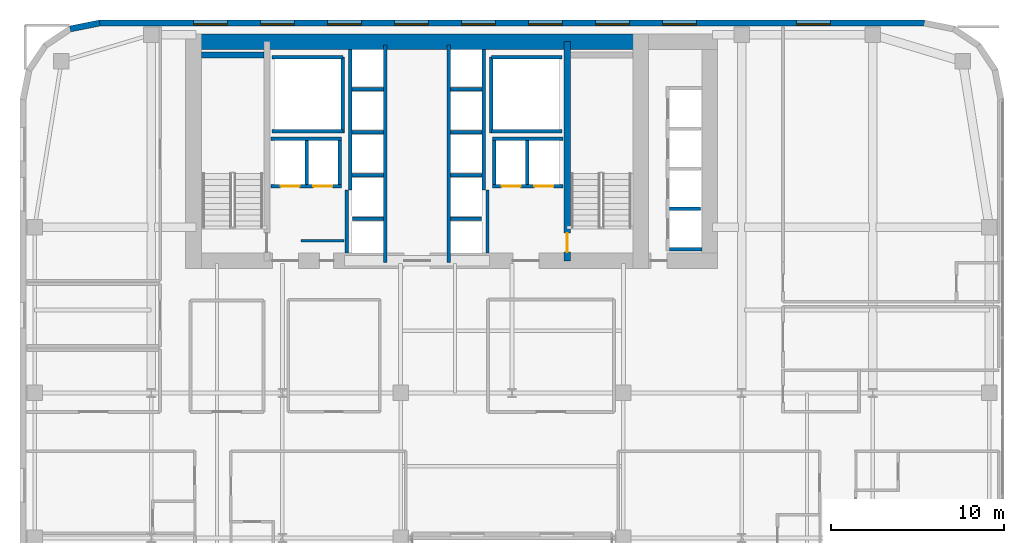
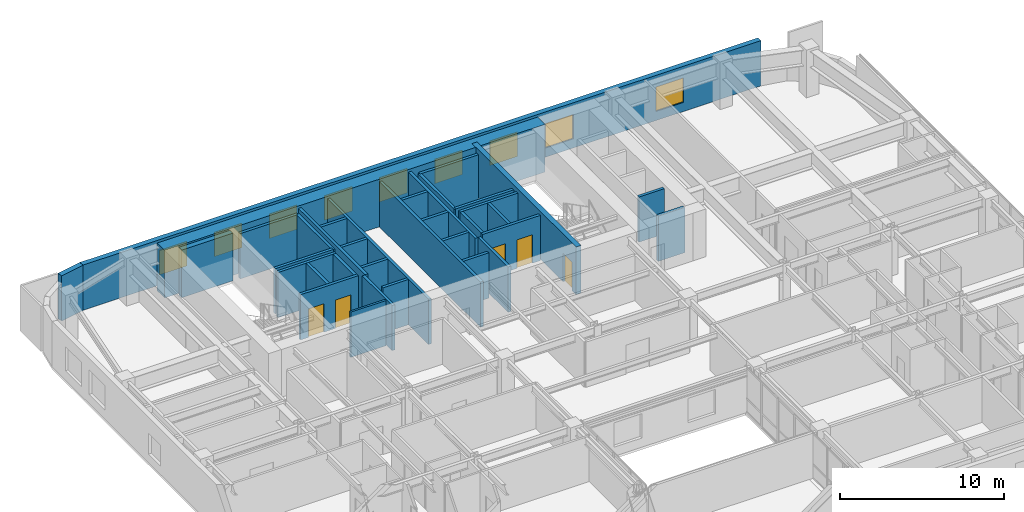
# One storey, part 22 of 25: 36 walls, 9 windows, 5 doors, 14 openings.
"""IFC4 building model written with IfcOpenShell, lengths in metres."""

from ifc_helpers import new_model, si_unit, direction, frame, frame_2d, origin, place, context, subcontext, project, spatial, rectangle, extrude, source, transform, mapped, material, layer, layer_set, type_object, type_shapes, element, fill, save


model = new_model("IFC4")

# Units and contexts
model_context = context("Model", 3, precision=1e-05, world=origin(), true_north=direction((0.0, 1.0)))
body_context = subcontext(model_context, "Body", "Model", "MODEL_VIEW")
ifc_project = project(units=[si_unit("LENGTHUNIT", "METRE"), si_unit("AREAUNIT", "SQUARE_METRE"), si_unit("VOLUMEUNIT", "CUBIC_METRE"), si_unit("PLANEANGLEUNIT", "RADIAN"), si_unit("MASSUNIT", "GRAM", prefix="KILO")], contexts=[model_context])

# Site, building, storey
site_placement = place(None, origin())
site = spatial("IfcSite", under=ifc_project, at=site_placement, CompositionType="ELEMENT")
building_placement = place(site_placement, origin())
building = spatial("IfcBuilding", under=site, at=building_placement, Name="Tolvann Quenvar Hotel", CompositionType="ELEMENT")
storey_placement = place(building_placement, frame((0.0, 0.0, 78.14990234375)))
storey = spatial("IfcBuildingStorey", under=building, at=storey_placement, Name="L19", CompositionType="ELEMENT", Elevation=78.14990234375)

# Wall
ifc_material_1 = material(Name="Concrete S80 (80 MPa)", Category="concrete")
ifc_layer_1 = layer(ifc_material_1, 0.89990234375)
ifc_layer_set_1 = layer_set([ifc_layer_1], Name="Concrete S80 (80 MPa)")
wall_type_1 = type_object("IfcWallType", Name="WALL_CORE_900", PredefinedType="SHEAR", material=ifc_layer_set_1)
wall_1_placement = place(storey_placement, frame((9.60009765625, 44.75, 0.0), z_axis=(0.0, 0.0, 1.0), x_axis=(1.0, 0.0, 0.0)))
element("IfcWall", 1, at=wall_1_placement, inside=storey, type_object=wall_type_1, Name="Rear Core N Shear Wall (L19)", PredefinedType="SHEAR", context=body_context, shape_type="SweptSolid", body=[
    extrude(rectangle(XDim=26.7998046875, YDim=0.89990234375, at=frame_2d((13.39990234375, 0.0))), origin(), (0.0, 0.0, 1.0), 3.550048828125),
])

# Wall, opening, door
ifc_material_2 = material(Name="Concrete S65 (65 MPa)", Category="concrete")
ifc_layer_2 = layer(ifc_material_2, 0.35009765625)
ifc_layer_set_2 = layer_set([ifc_layer_2], Name="Concrete S65 (65 MPa)")
wall_type_2 = type_object("IfcWallType", Name="WALL_CORE_INT_350", PredefinedType="SHEAR", material=ifc_layer_set_2)
wall_2_placement = place(storey_placement, frame((31.699951171875, 32.050048828125, 0.0), z_axis=(0.0, 0.0, 1.0), x_axis=(0.0, 1.0, 0.0)))
wall_2 = element("IfcWall", 2, at=wall_2_placement, inside=storey, type_object=wall_type_2, Name="Core Internal Web Shear Wall WEB-E (L19)", PredefinedType="SHEAR", context=body_context, shape_type="SweptSolid", body=[
    extrude(rectangle(XDim=12.699951171875, YDim=0.35009765625, at=frame_2d((6.35009765625, 0.0))), origin(), (0.0, 0.0, 1.0), 3.550048828125),
])
opening_1_placement = place(wall_2_placement, frame((1.60009765625, 0.0, 0.0), z_axis=(0.0, 0.0, 1.0), x_axis=(-1.0, 0.0, 0.0)))
opening_1 = element("IfcOpeningElement", 3, at=opening_1_placement, cuts=wall_2, Name="Opening FD-120", PredefinedType="OPENING", context=body_context, shape_type="SweptSolid", body=[
    extrude(rectangle(XDim=1.10009765625, YDim=2.1201171875, at=frame_2d((0.550048828125, 1.06005859375))), frame((0.0, 0.18505859375, 0.0), z_axis=(0.0, -1.0, 0.0), x_axis=(1.0, 0.0, 0.0)), (0.0, 0.0, 1.0), 0.3701171875),
])
ifc_material_3 = material(Name="Pressed galvanised steel fire-rated door set", Category="steel")
door_type_1 = type_object("IfcDoorType", Name="DOOR_FIRE_STAIR_1100", OperationType="NOTDEFINED", PredefinedType="DOOR", material=ifc_material_3)
shared_shape_1 = source(origin(), body_context, "Body", "SweptSolid", [
    extrude(rectangle(XDim=1.10009765625, YDim=2.1201171875, at=frame_2d((0.550048828125, 1.06005859375))), frame((0.0, 0.02490234375, 0.0), z_axis=(0.0, -1.0, 0.0), x_axis=(1.0, 0.0, 0.0)), (0.0, 0.0, 1.0), 0.050048828125),
])
type_shapes(door_type_1, [shared_shape_1])
door_1_placement = place(opening_1_placement, origin())
door_1 = element("IfcDoor", 4, at=door_1_placement, inside=storey, type_object=door_type_1, Name="Exit Stair ST-C2 Fire Door (L19)", OperationType="SINGLE_SWING_RIGHT", OverallHeight=2.1201171875, OverallWidth=1.10009765625, PredefinedType="DOOR", context=body_context, shape_type="MappedRepresentation", body=[
    mapped(shared_shape_1, transform((0.0, 0.0, 0.0), x_axis=(1.0, 0.0, 0.0), y_axis=(0.0, 1.0, 0.0), z_axis=(0.0, 0.0, 1.0), scale=1.0)),
])
fill(opening_1, door_1)

# Wall
wall_3_placement = place(storey_placement, frame((10.52001953125, 43.97509765625, 0.0), z_axis=(0.0, 0.0, 1.0), x_axis=(1.0, 0.0, 0.0)))
element("IfcWall", 5, at=wall_3_placement, inside=storey, type_object=wall_type_2, Name="Core Stair North Closing Shear Wall STC1-N (L19)", PredefinedType="SHEAR", context=body_context, shape_type="SweptSolid", body=[
    extrude(rectangle(XDim=3.60009765625, YDim=0.35009765625, at=frame_2d((1.800048828125, 0.0))), origin(), (0.0, 0.0, 1.0), 3.550048828125),
])

# Wall, openings, windows
ifc_material_4 = material(Name="Kiln-fired red and buff architectural clay brickwork and terracotta masonry", Category="masonry")
ifc_layer_3 = layer(ifc_material_4, 0.35009765625)
ifc_layer_set_3 = layer_set([ifc_layer_3], Name="Kiln-fired red and buff architectural clay brickwork and terracotta masonry")
wall_type_3 = type_object("IfcWallType", Name="WALL_EXT_BRICK_350", PredefinedType="SOLIDWALL", material=ifc_layer_set_3)
wall_4_placement = place(storey_placement, frame((52.3828125, 45.824951171875, 0.0), z_axis=(0.0, 0.0, 1.0), x_axis=(-1.0, 0.0, 0.0)))
wall_4 = element("IfcWall", 6, at=wall_4_placement, inside=storey, type_object=wall_type_3, Name="Exterior Chicago Brick Wall L19-E18", PredefinedType="SOLIDWALL", context=body_context, shape_type="SweptSolid", body=[
    extrude(rectangle(XDim=47.765625, YDim=0.35009765625, at=frame_2d((23.8828125, 0.0))), origin(), (0.0, 0.0, 1.0), 3.3701171875),
])
opening_2_placement = place(wall_4_placement, frame((5.446044921875, 0.0, 0.679931640625)))
opening_2 = element("IfcOpeningElement", 7, at=opening_2_placement, cuts=wall_4, Name="Opening W-10", PredefinedType="OPENING", context=body_context, shape_type="SweptSolid", body=[
    extrude(rectangle(XDim=1.949951171875, YDim=1.820068359375, at=frame_2d((0.97509765625, 0.91015625))), frame((0.0, 0.18505859375, 0.0), z_axis=(0.0, -1.0, 0.0), x_axis=(1.0, 0.0, 0.0)), (0.0, 0.0, 1.0), 0.3701171875),
])
opening_3_placement = place(wall_4_placement, frame((13.20703125, 0.0, 0.679931640625)))
opening_3 = element("IfcOpeningElement", 8, at=opening_3_placement, cuts=wall_4, Name="Opening W-10", PredefinedType="OPENING", context=body_context, shape_type="SweptSolid", body=[
    extrude(rectangle(XDim=1.949951171875, YDim=1.820068359375, at=frame_2d((0.97509765625, 0.91015625))), frame((0.0, 0.18505859375, 0.0), z_axis=(0.0, -1.0, 0.0), x_axis=(1.0, 0.0, 0.0)), (0.0, 0.0, 1.0), 0.3701171875),
])
opening_4_placement = place(wall_4_placement, frame((17.0869140625, 0.0, 0.679931640625)))
opening_4 = element("IfcOpeningElement", 9, at=opening_4_placement, cuts=wall_4, Name="Opening W-10", PredefinedType="OPENING", context=body_context, shape_type="SweptSolid", body=[
    extrude(rectangle(XDim=1.949951171875, YDim=1.820068359375, at=frame_2d((0.97509765625, 0.91015625))), frame((0.0, 0.18505859375, 0.0), z_axis=(0.0, -1.0, 0.0), x_axis=(1.0, 0.0, 0.0)), (0.0, 0.0, 1.0), 0.3701171875),
])
opening_5_placement = place(wall_4_placement, frame((20.968017578125, 0.0, 0.679931640625)))
opening_5 = element("IfcOpeningElement", 10, at=opening_5_placement, cuts=wall_4, Name="Opening W-10", PredefinedType="OPENING", context=body_context, shape_type="SweptSolid", body=[
    extrude(rectangle(XDim=1.949951171875, YDim=1.820068359375, at=frame_2d((0.97509765625, 0.91015625))), frame((0.0, 0.18505859375, 0.0), z_axis=(0.0, -1.0, 0.0), x_axis=(1.0, 0.0, 0.0)), (0.0, 0.0, 1.0), 0.3701171875),
])
opening_6_placement = place(wall_4_placement, frame((24.847900390625, 0.0, 0.679931640625)))
opening_6 = element("IfcOpeningElement", 11, at=opening_6_placement, cuts=wall_4, Name="Opening W-10", PredefinedType="OPENING", context=body_context, shape_type="SweptSolid", body=[
    extrude(rectangle(XDim=1.949951171875, YDim=1.820068359375, at=frame_2d((0.97509765625, 0.91015625))), frame((0.0, 0.18505859375, 0.0), z_axis=(0.0, -1.0, 0.0), x_axis=(1.0, 0.0, 0.0)), (0.0, 0.0, 1.0), 0.3701171875),
])
opening_7_placement = place(wall_4_placement, frame((28.72900390625, 0.0, 0.679931640625)))
opening_7 = element("IfcOpeningElement", 12, at=opening_7_placement, cuts=wall_4, Name="Opening W-10", PredefinedType="OPENING", context=body_context, shape_type="SweptSolid", body=[
    extrude(rectangle(XDim=1.949951171875, YDim=1.820068359375, at=frame_2d((0.97509765625, 0.91015625))), frame((0.0, 0.18505859375, 0.0), z_axis=(0.0, -1.0, 0.0), x_axis=(1.0, 0.0, 0.0)), (0.0, 0.0, 1.0), 0.3701171875),
])
opening_8_placement = place(wall_4_placement, frame((32.60888671875, 0.0, 0.679931640625)))
opening_8 = element("IfcOpeningElement", 13, at=opening_8_placement, cuts=wall_4, Name="Opening W-10", PredefinedType="OPENING", context=body_context, shape_type="SweptSolid", body=[
    extrude(rectangle(XDim=1.949951171875, YDim=1.820068359375, at=frame_2d((0.97509765625, 0.91015625))), frame((0.0, 0.18505859375, 0.0), z_axis=(0.0, -1.0, 0.0), x_axis=(1.0, 0.0, 0.0)), (0.0, 0.0, 1.0), 0.3701171875),
])
opening_9_placement = place(wall_4_placement, frame((36.489013671875, 0.0, 0.679931640625)))
opening_9 = element("IfcOpeningElement", 14, at=opening_9_placement, cuts=wall_4, Name="Opening W-10", PredefinedType="OPENING", context=body_context, shape_type="SweptSolid", body=[
    extrude(rectangle(XDim=1.949951171875, YDim=1.820068359375, at=frame_2d((0.97509765625, 0.91015625))), frame((0.0, 0.18505859375, 0.0), z_axis=(0.0, -1.0, 0.0), x_axis=(1.0, 0.0, 0.0)), (0.0, 0.0, 1.0), 0.3701171875),
])
opening_10_placement = place(wall_4_placement, frame((40.3701171875, 0.0, 0.679931640625)))
opening_10 = element("IfcOpeningElement", 15, at=opening_10_placement, cuts=wall_4, Name="Opening W-10", PredefinedType="OPENING", context=body_context, shape_type="SweptSolid", body=[
    extrude(rectangle(XDim=1.949951171875, YDim=1.820068359375, at=frame_2d((0.97509765625, 0.91015625))), frame((0.0, 0.18505859375, 0.0), z_axis=(0.0, -1.0, 0.0), x_axis=(1.0, 0.0, 0.0)), (0.0, 0.0, 1.0), 0.3701171875),
])
ifc_material_5 = material(Name="Thermally broken bronze-anodised aluminium frame with double low-E glazing", Category="aluminium")
window_type = type_object("IfcWindowType", Name="WIN_CLB_1950x1850", PartitioningType="DOUBLE_PANEL_VERTICAL", PredefinedType="WINDOW", material=ifc_material_5)
shared_shape_2 = source(origin(), body_context, "Body", "SweptSolid", [
    extrude(rectangle(XDim=1.949951171875, YDim=1.820068359375, at=frame_2d((0.97509765625, 0.91015625))), frame((0.0, 0.090087890625, 0.0), z_axis=(0.0, -1.0, 0.0), x_axis=(1.0, 0.0, 0.0)), (0.0, 0.0, 1.0), 0.06005859375),
])
type_shapes(window_type, [shared_shape_2])
window_1_placement = place(opening_2_placement, origin())
window_1 = element("IfcWindow", 16, at=window_1_placement, inside=storey, type_object=window_type, Name="Chicago Window W-10 (EW-L19-E18-W01)", OverallHeight=1.820068359375, OverallWidth=1.949951171875, PartitioningType="DOUBLE_PANEL_VERTICAL", PredefinedType="WINDOW", context=body_context, shape_type="MappedRepresentation", body=[
    mapped(shared_shape_2, transform((0.0, 0.0, 0.0), x_axis=(1.0, 0.0, 0.0), y_axis=(0.0, 1.0, 0.0), z_axis=(0.0, 0.0, 1.0), scale=1.0)),
])
fill(opening_2, window_1)
window_2_placement = place(opening_3_placement, origin())
window_2 = element("IfcWindow", 17, at=window_2_placement, inside=storey, type_object=window_type, Name="Chicago Window W-10 (EW-L19-E18-W02)", OverallHeight=1.820068359375, OverallWidth=1.949951171875, PartitioningType="DOUBLE_PANEL_VERTICAL", PredefinedType="WINDOW", context=body_context, shape_type="MappedRepresentation", body=[
    mapped(shared_shape_2, transform((0.0, 0.0, 0.0), x_axis=(1.0, 0.0, 0.0), y_axis=(0.0, 1.0, 0.0), z_axis=(0.0, 0.0, 1.0), scale=1.0)),
])
fill(opening_3, window_2)
window_3_placement = place(opening_4_placement, origin())
window_3 = element("IfcWindow", 18, at=window_3_placement, inside=storey, type_object=window_type, Name="Chicago Window W-10 (EW-L19-E18-W03)", OverallHeight=1.820068359375, OverallWidth=1.949951171875, PartitioningType="DOUBLE_PANEL_VERTICAL", PredefinedType="WINDOW", context=body_context, shape_type="MappedRepresentation", body=[
    mapped(shared_shape_2, transform((0.0, 0.0, 0.0), x_axis=(1.0, 0.0, 0.0), y_axis=(0.0, 1.0, 0.0), z_axis=(0.0, 0.0, 1.0), scale=1.0)),
])
fill(opening_4, window_3)
window_4_placement = place(opening_5_placement, origin())
window_4 = element("IfcWindow", 19, at=window_4_placement, inside=storey, type_object=window_type, Name="Chicago Window W-10 (EW-L19-E18-W04)", OverallHeight=1.820068359375, OverallWidth=1.949951171875, PartitioningType="DOUBLE_PANEL_VERTICAL", PredefinedType="WINDOW", context=body_context, shape_type="MappedRepresentation", body=[
    mapped(shared_shape_2, transform((0.0, 0.0, 0.0), x_axis=(1.0, 0.0, 0.0), y_axis=(0.0, 1.0, 0.0), z_axis=(0.0, 0.0, 1.0), scale=1.0)),
])
fill(opening_5, window_4)
window_5_placement = place(opening_6_placement, origin())
window_5 = element("IfcWindow", 20, at=window_5_placement, inside=storey, type_object=window_type, Name="Chicago Window W-10 (EW-L19-E18-W05)", OverallHeight=1.820068359375, OverallWidth=1.949951171875, PartitioningType="DOUBLE_PANEL_VERTICAL", PredefinedType="WINDOW", context=body_context, shape_type="MappedRepresentation", body=[
    mapped(shared_shape_2, transform((0.0, 0.0, 0.0), x_axis=(1.0, 0.0, 0.0), y_axis=(0.0, 1.0, 0.0), z_axis=(0.0, 0.0, 1.0), scale=1.0)),
])
fill(opening_6, window_5)
window_6_placement = place(opening_7_placement, origin())
window_6 = element("IfcWindow", 21, at=window_6_placement, inside=storey, type_object=window_type, Name="Chicago Window W-10 (EW-L19-E18-W06)", OverallHeight=1.820068359375, OverallWidth=1.949951171875, PartitioningType="DOUBLE_PANEL_VERTICAL", PredefinedType="WINDOW", context=body_context, shape_type="MappedRepresentation", body=[
    mapped(shared_shape_2, transform((0.0, 0.0, 0.0), x_axis=(1.0, 0.0, 0.0), y_axis=(0.0, 1.0, 0.0), z_axis=(0.0, 0.0, 1.0), scale=1.0)),
])
fill(opening_7, window_6)
window_7_placement = place(opening_8_placement, origin())
window_7 = element("IfcWindow", 22, at=window_7_placement, inside=storey, type_object=window_type, Name="Chicago Window W-10 (EW-L19-E18-W07)", OverallHeight=1.820068359375, OverallWidth=1.949951171875, PartitioningType="DOUBLE_PANEL_VERTICAL", PredefinedType="WINDOW", context=body_context, shape_type="MappedRepresentation", body=[
    mapped(shared_shape_2, transform((0.0, 0.0, 0.0), x_axis=(1.0, 0.0, 0.0), y_axis=(0.0, 1.0, 0.0), z_axis=(0.0, 0.0, 1.0), scale=1.0)),
])
fill(opening_8, window_7)
window_8_placement = place(opening_9_placement, origin())
window_8 = element("IfcWindow", 23, at=window_8_placement, inside=storey, type_object=window_type, Name="Chicago Window W-10 (EW-L19-E18-W08)", OverallHeight=1.820068359375, OverallWidth=1.949951171875, PartitioningType="DOUBLE_PANEL_VERTICAL", PredefinedType="WINDOW", context=body_context, shape_type="MappedRepresentation", body=[
    mapped(shared_shape_2, transform((0.0, 0.0, 0.0), x_axis=(1.0, 0.0, 0.0), y_axis=(0.0, 1.0, 0.0), z_axis=(0.0, 0.0, 1.0), scale=1.0)),
])
fill(opening_9, window_8)
window_9_placement = place(opening_10_placement, origin())
window_9 = element("IfcWindow", 24, at=window_9_placement, inside=storey, type_object=window_type, Name="Chicago Window W-10 (EW-L19-E18-W09)", OverallHeight=1.820068359375, OverallWidth=1.949951171875, PartitioningType="DOUBLE_PANEL_VERTICAL", PredefinedType="WINDOW", context=body_context, shape_type="MappedRepresentation", body=[
    mapped(shared_shape_2, transform((0.0, 0.0, 0.0), x_axis=(1.0, 0.0, 0.0), y_axis=(0.0, 1.0, 0.0), z_axis=(0.0, 0.0, 1.0), scale=1.0)),
])
fill(opening_10, window_9)

# Walls
wall_5_placement = place(storey_placement, frame((4.6171875, 45.824951171875, 0.0), z_axis=(0.0, 0.0, 1.0), x_axis=(-0.980800971659, -0.195011420161, 0.0)))
element("IfcWall", 25, at=wall_5_placement, inside=storey, type_object=wall_type_3, Name="Exterior Chicago Brick Wall L19-E19", PredefinedType="SOLIDWALL", context=body_context, shape_type="SweptSolid", body=[
    extrude(rectangle(XDim=1.74267578125, YDim=0.35009765625, at=frame_2d((0.871337890625, 0.0))), origin(), (0.0, 0.0, 1.0), 3.3701171875),
])
ifc_material_6 = material(Name="Acoustic twin-stud fire-rated gypsum plasterboard partition")
ifc_layer_4 = layer(ifc_material_6, 0.14990234375)
ifc_layer_set_4 = layer_set([ifc_layer_4], Name="Acoustic twin-stud fire-rated gypsum plasterboard partition")
wall_type_4 = type_object("IfcWallType", Name="WALL_PART_SUITE_150", PredefinedType="PARTITIONING", material=ifc_layer_set_4)
wall_6_placement = place(storey_placement, frame((16.280029296875, 33.219970703125, 0.0), z_axis=(0.0, 0.0, 1.0), x_axis=(1.0, 0.0, 0.0)))
element("IfcWall", 26, at=wall_6_placement, inside=storey, type_object=wall_type_4, Name="Interior Partition PT-SPC-L19-CSW-1-N", PredefinedType="PARTITIONING", context=body_context, shape_type="SweptSolid", body=[
    extrude(rectangle(XDim=2.48486328125, YDim=0.14990234375, at=frame_2d((1.242431640625, 0.0))), origin(), (0.0, 0.0, 1.0), 3.3701171875),
])
ifc_material_7 = material(Name="Concrete N40 (40 MPa)", Category="concrete")
ifc_layer_5 = layer(ifc_material_7, 0.199951171875)
ifc_layer_set_5 = layer_set([ifc_layer_5], Name="Concrete N40 (40 MPa)")
wall_type_5 = type_object("IfcWallType", Name="WALL_SHAFT_200", PredefinedType="SOLIDWALL", material=ifc_layer_set_5)
wall_7_placement = place(storey_placement, frame((18.699951171875, 39.449951171875, 0.0), z_axis=(0.0, 0.0, 1.0), x_axis=(0.0, 1.0, 0.0)))
element("IfcWall", 27, at=wall_7_placement, inside=storey, type_object=wall_type_5, Name="Service Riser W Shaft Wall IN (L19)", PredefinedType="SOLIDWALL", context=body_context, shape_type="SweptSolid", body=[
    extrude(rectangle(XDim=4.400146484375, YDim=0.199951171875, at=frame_2d((2.2001953125, 0.0))), origin(), (0.0, 0.0, 1.0), 3.3701171875),
])
for number, where, z_axis, x_axis, name in (
    (28, (14.60009765625, 39.550048828125, 0.0), (0.0, 0.0, 1.0), (1.0, 0.0, 0.0), "Service Riser W Shaft Wall S (L19)"),
    (29, (14.60009765625, 43.85009765625, 0.0), (0.0, 0.0, 1.0), (1.0, 0.0, 0.0), "Service Riser W Shaft Wall N (L19)"),
):
    element("IfcWall", number, at=place(storey_placement, frame(where, z_axis=z_axis, x_axis=x_axis)), inside=storey, type_object=wall_type_5, Name=name, PredefinedType="SOLIDWALL", context=body_context, shape_type="SweptSolid", body=[
        extrude(rectangle(XDim=4.099853515625, YDim=0.199951171875, at=frame_2d((2.0498046875, 0.0))), origin(), (0.0, 0.0, 1.0), 3.3701171875),
    ])
wall_8_placement = place(storey_placement, frame((27.300048828125, 39.449951171875, 0.0), z_axis=(0.0, 0.0, 1.0), x_axis=(0.0, 1.0, 0.0)))
element("IfcWall", 30, at=wall_8_placement, inside=storey, type_object=wall_type_5, Name="Service Riser E Shaft Wall IN (L19)", PredefinedType="SOLIDWALL", context=body_context, shape_type="SweptSolid", body=[
    extrude(rectangle(XDim=4.400146484375, YDim=0.199951171875, at=frame_2d((2.2001953125, 0.0))), origin(), (0.0, 0.0, 1.0), 3.3701171875),
])
for number, where, z_axis, x_axis, name in (
    (31, (27.300048828125, 39.550048828125, 0.0), (0.0, 0.0, 1.0), (1.0, 0.0, 0.0), "Service Riser E Shaft Wall S (L19)"),
    (32, (27.300048828125, 43.85009765625, 0.0), (0.0, 0.0, 1.0), (1.0, 0.0, 0.0), "Service Riser E Shaft Wall N (L19)"),
):
    element("IfcWall", number, at=place(storey_placement, frame(where, z_axis=z_axis, x_axis=x_axis)), inside=storey, type_object=wall_type_5, Name=name, PredefinedType="SOLIDWALL", context=body_context, shape_type="SweptSolid", body=[
        extrude(rectangle(XDim=4.099853515625, YDim=0.199951171875, at=frame_2d((2.0498046875, 0.0))), origin(), (0.0, 0.0, 1.0), 3.3701171875),
    ])
for number, where, z_axis, x_axis, name in (
    (33, (18.919921875, 32.50390625, 0.0), (0.0, 0.0, 1.0), (0.0, 1.0, 0.0), "Firefighting Lobby W Inner Fire Wall (L19)"),
    (34, (27.080078125, 32.50390625, 0.0), (0.0, 0.0, 1.0), (0.0, 1.0, 0.0), "Firefighting Lobby E Inner Fire Wall (L19)"),
):
    element("IfcWall", number, at=place(storey_placement, frame(where, z_axis=z_axis, x_axis=x_axis)), inside=storey, type_object=wall_type_5, Name=name, PredefinedType="SOLIDWALL", context=body_context, shape_type="SweptSolid", body=[
        extrude(rectangle(XDim=3.64599609375, YDim=0.199951171875, at=frame_2d((1.822998046875, 0.0))), origin(), (0.0, 0.0, 1.0), 3.3701171875),
    ])
wall_9_placement = place(storey_placement, frame((21.169921875, 31.9599609375, 0.0), z_axis=(0.0, 0.0, 1.0), x_axis=(0.0, 1.0, 0.0)))
element("IfcWall", 35, at=wall_9_placement, inside=storey, type_object=wall_type_5, Name="Lift Bank E21.1C1 Hoistway Front Wall (L19)", PredefinedType="SOLIDWALL", context=body_context, shape_type="SweptSolid", body=[
    extrude(rectangle(XDim=12.580078125, YDim=0.199951171875, at=frame_2d((6.2900390625, 0.0))), origin(), (0.0, 0.0, 1.0), 3.3701171875),
])
wall_10_placement = place(storey_placement, frame((19.1298828125, 36.159912109375, 0.0), z_axis=(0.0, 0.0, 1.0), x_axis=(0.0, 1.0, 0.0)))
element("IfcWall", 36, at=wall_10_placement, inside=storey, type_object=wall_type_5, Name="Lift Bank E21.1C1 Hoistway Rear Wall (L19)", PredefinedType="SOLIDWALL", context=body_context, shape_type="SweptSolid", body=[
    extrude(rectangle(XDim=8.135986328125, YDim=0.199951171875, at=frame_2d((4.06787109375, 0.0))), origin(), (0.0, 0.0, 1.0), 3.3701171875),
])
wall_11_placement = place(storey_placement, frame((19.27001953125, 34.5, 0.0), z_axis=(0.0, 0.0, 1.0), x_axis=(1.0, 0.0, 0.0)))
element("IfcWall", 37, at=wall_11_placement, inside=storey, type_object=wall_type_5, Name="Lift Bank E21.1C1 Divider Wall 1 (L19)", PredefinedType="SOLIDWALL", context=body_context, shape_type="SweptSolid", body=[
    extrude(rectangle(XDim=1.800048828125, YDim=0.199951171875, at=frame_2d((0.89990234375, 0.0))), origin(), (0.0, 0.0, 1.0), 3.3701171875),
])
for number, where, z_axis, x_axis, name in (
    (38, (19.22998046875, 37.0, 0.0), (0.0, 0.0, 1.0), (1.0, 0.0, 0.0), "Lift Bank E21.1C1 Divider Wall 2 (L19)"),
    (39, (19.22998046875, 39.5, 0.0), (0.0, 0.0, 1.0), (1.0, 0.0, 0.0), "Lift Bank E21.1C1 Divider Wall 3 (L19)"),
    (40, (19.22998046875, 42.0, 0.0), (0.0, 0.0, 1.0), (1.0, 0.0, 0.0), "Lift Bank E21.1C1 Divider Wall 4 (L19)"),
):
    element("IfcWall", number, at=place(storey_placement, frame(where, z_axis=z_axis, x_axis=x_axis)), inside=storey, type_object=wall_type_5, Name=name, PredefinedType="SOLIDWALL", context=body_context, shape_type="SweptSolid", body=[
        extrude(rectangle(XDim=1.840087890625, YDim=0.199951171875, at=frame_2d((0.919921875, 0.0))), origin(), (0.0, 0.0, 1.0), 3.3701171875),
    ])

# Wall, openings, doors
wall_12_placement = place(storey_placement, frame((27.375, 36.3798828125, 0.0), z_axis=(0.0, 0.0, 1.0), x_axis=(1.0, 0.0, 0.0)))
wall_12 = element("IfcWall", 41, at=wall_12_placement, inside=storey, type_object=wall_type_5, Name="Lift Bank SEC1 Hoistway Front Wall (L19)", PredefinedType="SOLIDWALL", context=body_context, shape_type="SweptSolid", body=[
    extrude(rectangle(XDim=4.074951171875, YDim=0.199951171875, at=frame_2d((2.03759765625, 0.0))), origin(), (0.0, 0.0, 1.0), 3.3701171875),
])
opening_11_placement = place(wall_12_placement, frame((0.52490234375, 0.0, 0.0)))
opening_11 = element("IfcOpeningElement", 42, at=opening_11_placement, cuts=wall_12, Name="Opening LD-01", PredefinedType="OPENING", context=body_context, shape_type="SweptSolid", body=[
    extrude(rectangle(XDim=1.10009765625, YDim=2.1201171875, at=frame_2d((0.550048828125, 1.06005859375))), frame((0.0, 0.10986328125, 0.0), z_axis=(0.0, -1.0, 0.0), x_axis=(1.0, 0.0, 0.0)), (0.0, 0.0, 1.0), 0.219970703125),
])
opening_12_placement = place(wall_12_placement, frame((2.425048828125, 0.0, 0.0)))
opening_12 = element("IfcOpeningElement", 43, at=opening_12_placement, cuts=wall_12, Name="Opening LD-01", PredefinedType="OPENING", context=body_context, shape_type="SweptSolid", body=[
    extrude(rectangle(XDim=1.10009765625, YDim=2.1201171875, at=frame_2d((0.550048828125, 1.06005859375))), frame((0.0, 0.10986328125, 0.0), z_axis=(0.0, -1.0, 0.0), x_axis=(1.0, 0.0, 0.0)), (0.0, 0.0, 1.0), 0.219970703125),
])
ifc_material_8 = material(Name="Brushed 316 stainless steel automatic sliding lift landing door", Category="steel")
door_type_2 = type_object("IfcDoorType", Name="DOOR_LIFT_SLIDE_1100", OperationType="NOTDEFINED", PredefinedType="DOOR", material=ifc_material_8)
shared_shape_3 = source(origin(), body_context, "Body", "SweptSolid", [
    extrude(rectangle(XDim=1.10009765625, YDim=2.1201171875, at=frame_2d((0.550048828125, 1.06005859375))), frame((0.0, 0.02490234375, 0.0), z_axis=(0.0, -1.0, 0.0), x_axis=(1.0, 0.0, 0.0)), (0.0, 0.0, 1.0), 0.050048828125),
])
type_shapes(door_type_2, [shared_shape_3])
door_2_placement = place(opening_11_placement, origin())
door_2 = element("IfcDoor", 44, at=door_2_placement, inside=storey, type_object=door_type_2, Name="Lift SV-2 Sliding Landing Door (L19)", OperationType="SLIDING_TO_LEFT", OverallHeight=2.1201171875, OverallWidth=1.10009765625, PredefinedType="DOOR", context=body_context, shape_type="MappedRepresentation", body=[
    mapped(shared_shape_3, transform((0.0, 0.0, 0.0), x_axis=(1.0, 0.0, 0.0), y_axis=(0.0, 1.0, 0.0), z_axis=(0.0, 0.0, 1.0), scale=1.0)),
])
fill(opening_11, door_2)
door_3_placement = place(opening_12_placement, origin())
door_3 = element("IfcDoor", 45, at=door_3_placement, inside=storey, type_object=door_type_2, Name="Lift FF-2 Sliding Landing Door (L19)", OperationType="SLIDING_TO_RIGHT", OverallHeight=2.1201171875, OverallWidth=1.10009765625, PredefinedType="DOOR", context=body_context, shape_type="MappedRepresentation", body=[
    mapped(shared_shape_3, transform((0.0, 0.0, 0.0), x_axis=(1.0, 0.0, 0.0), y_axis=(0.0, 1.0, 0.0), z_axis=(0.0, 0.0, 1.0), scale=1.0)),
])
fill(opening_12, door_3)

# Walls
wall_13_placement = place(storey_placement, frame((27.375, 39.1201171875, 0.0), z_axis=(0.0, 0.0, 1.0), x_axis=(1.0, 0.0, 0.0)))
element("IfcWall", 46, at=wall_13_placement, inside=storey, type_object=wall_type_5, Name="Lift Bank SEC1 Hoistway Rear Wall (L19)", PredefinedType="SOLIDWALL", context=body_context, shape_type="SweptSolid", body=[
    extrude(rectangle(XDim=4.074951171875, YDim=0.199951171875, at=frame_2d((2.03759765625, 0.0))), origin(), (0.0, 0.0, 1.0), 3.3701171875),
])
for number, where, z_axis, x_axis, name in (
    (47, (27.47509765625, 36.47998046875, 0.0), (0.0, 0.0, 1.0), (0.0, 1.0, 0.0), "Lift Bank SEC1 Hoistway Cheek Wall 1 (L19)"),
    (48, (29.387451171875, 36.47998046875, 0.0), (0.0, 0.0, 1.0), (0.0, 1.0, 0.0), "Lift Bank SEC1 Divider Wall 1 (L19)"),
):
    element("IfcWall", number, at=place(storey_placement, frame(where, z_axis=z_axis, x_axis=x_axis)), inside=storey, type_object=wall_type_5, Name=name, PredefinedType="SOLIDWALL", context=body_context, shape_type="SweptSolid", body=[
        extrude(rectangle(XDim=2.5400390625, YDim=0.199951171875, at=frame_2d((1.27001953125, 0.0))), origin(), (0.0, 0.0, 1.0), 3.3701171875),
    ])

# Wall, openings, doors
wall_14_placement = place(storey_placement, frame((14.550048828125, 36.3798828125, 0.0), z_axis=(0.0, 0.0, 1.0), x_axis=(1.0, 0.0, 0.0)))
wall_14 = element("IfcWall", 49, at=wall_14_placement, inside=storey, type_object=wall_type_5, Name="Lift Bank SWC1 Hoistway Front Wall (L19)", PredefinedType="SOLIDWALL", context=body_context, shape_type="SweptSolid", body=[
    extrude(rectangle(XDim=4.074951171875, YDim=0.199951171875, at=frame_2d((2.03759765625, 0.0))), origin(), (0.0, 0.0, 1.0), 3.3701171875),
])
opening_13_placement = place(wall_14_placement, frame((0.550048828125, 0.0, 0.0)))
opening_13 = element("IfcOpeningElement", 50, at=opening_13_placement, cuts=wall_14, Name="Opening LD-01", PredefinedType="OPENING", context=body_context, shape_type="SweptSolid", body=[
    extrude(rectangle(XDim=1.10009765625, YDim=2.1201171875, at=frame_2d((0.550048828125, 1.06005859375))), frame((0.0, 0.10986328125, 0.0), z_axis=(0.0, -1.0, 0.0), x_axis=(1.0, 0.0, 0.0)), (0.0, 0.0, 1.0), 0.219970703125),
])
opening_14_placement = place(wall_14_placement, frame((2.449951171875, 0.0, 0.0)))
opening_14 = element("IfcOpeningElement", 51, at=opening_14_placement, cuts=wall_14, Name="Opening LD-01", PredefinedType="OPENING", context=body_context, shape_type="SweptSolid", body=[
    extrude(rectangle(XDim=1.10009765625, YDim=2.1201171875, at=frame_2d((0.550048828125, 1.06005859375))), frame((0.0, 0.10986328125, 0.0), z_axis=(0.0, -1.0, 0.0), x_axis=(1.0, 0.0, 0.0)), (0.0, 0.0, 1.0), 0.219970703125),
])
door_4_placement = place(opening_13_placement, origin())
door_4 = element("IfcDoor", 52, at=door_4_placement, inside=storey, type_object=door_type_2, Name="Lift FF-1 Sliding Landing Door (L19)", OperationType="SLIDING_TO_LEFT", OverallHeight=2.1201171875, OverallWidth=1.10009765625, PredefinedType="DOOR", context=body_context, shape_type="MappedRepresentation", body=[
    mapped(shared_shape_3, transform((0.0, 0.0, 0.0), x_axis=(1.0, 0.0, 0.0), y_axis=(0.0, 1.0, 0.0), z_axis=(0.0, 0.0, 1.0), scale=1.0)),
])
fill(opening_13, door_4)
door_5_placement = place(opening_14_placement, origin())
door_5 = element("IfcDoor", 53, at=door_5_placement, inside=storey, type_object=door_type_2, Name="Lift SV-1 Sliding Landing Door (L19)", OperationType="SLIDING_TO_RIGHT", OverallHeight=2.1201171875, OverallWidth=1.10009765625, PredefinedType="DOOR", context=body_context, shape_type="MappedRepresentation", body=[
    mapped(shared_shape_3, transform((0.0, 0.0, 0.0), x_axis=(1.0, 0.0, 0.0), y_axis=(0.0, 1.0, 0.0), z_axis=(0.0, 0.0, 1.0), scale=1.0)),
])
fill(opening_14, door_5)

# Walls
wall_15_placement = place(storey_placement, frame((14.550048828125, 39.1201171875, 0.0), z_axis=(0.0, 0.0, 1.0), x_axis=(1.0, 0.0, 0.0)))
element("IfcWall", 54, at=wall_15_placement, inside=storey, type_object=wall_type_5, Name="Lift Bank SWC1 Hoistway Rear Wall (L19)", PredefinedType="SOLIDWALL", context=body_context, shape_type="SweptSolid", body=[
    extrude(rectangle(XDim=4.074951171875, YDim=0.199951171875, at=frame_2d((2.03759765625, 0.0))), origin(), (0.0, 0.0, 1.0), 3.3701171875),
])
for number, where, z_axis, x_axis, name in (
    (55, (18.52490234375, 36.47998046875, 0.0), (0.0, 0.0, 1.0), (0.0, 1.0, 0.0), "Lift Bank SWC1 Hoistway Cheek Wall 2 (L19)"),
    (56, (16.612548828125, 36.47998046875, 0.0), (0.0, 0.0, 1.0), (0.0, 1.0, 0.0), "Lift Bank SWC1 Divider Wall 1 (L19)"),
):
    element("IfcWall", number, at=place(storey_placement, frame(where, z_axis=z_axis, x_axis=x_axis)), inside=storey, type_object=wall_type_5, Name=name, PredefinedType="SOLIDWALL", context=body_context, shape_type="SweptSolid", body=[
        extrude(rectangle(XDim=2.5400390625, YDim=0.199951171875, at=frame_2d((1.27001953125, 0.0))), origin(), (0.0, 0.0, 1.0), 3.3701171875),
    ])
wall_16_placement = place(storey_placement, frame((24.830078125, 31.9599609375, 0.0), z_axis=(0.0, 0.0, 1.0), x_axis=(0.0, 1.0, 0.0)))
element("IfcWall", 57, at=wall_16_placement, inside=storey, type_object=wall_type_5, Name="Lift Bank W24.9C1 Hoistway Front Wall (L19)", PredefinedType="SOLIDWALL", context=body_context, shape_type="SweptSolid", body=[
    extrude(rectangle(XDim=12.580078125, YDim=0.199951171875, at=frame_2d((6.2900390625, 0.0))), origin(), (0.0, 0.0, 1.0), 3.3701171875),
])
wall_17_placement = place(storey_placement, frame((26.8701171875, 36.159912109375, 0.0), z_axis=(0.0, 0.0, 1.0), x_axis=(0.0, 1.0, 0.0)))
element("IfcWall", 58, at=wall_17_placement, inside=storey, type_object=wall_type_5, Name="Lift Bank W24.9C1 Hoistway Rear Wall (L19)", PredefinedType="SOLIDWALL", context=body_context, shape_type="SweptSolid", body=[
    extrude(rectangle(XDim=8.135986328125, YDim=0.199951171875, at=frame_2d((4.06787109375, 0.0))), origin(), (0.0, 0.0, 1.0), 3.3701171875),
])
wall_18_placement = place(storey_placement, frame((24.929931640625, 34.5, 0.0), z_axis=(0.0, 0.0, 1.0), x_axis=(1.0, 0.0, 0.0)))
element("IfcWall", 59, at=wall_18_placement, inside=storey, type_object=wall_type_5, Name="Lift Bank W24.9C1 Divider Wall 1 (L19)", PredefinedType="SOLIDWALL", context=body_context, shape_type="SweptSolid", body=[
    extrude(rectangle(XDim=1.800048828125, YDim=0.199951171875, at=frame_2d((0.89990234375, 0.0))), origin(), (0.0, 0.0, 1.0), 3.3701171875),
])
for number, where, z_axis, x_axis, name in (
    (60, (24.929931640625, 37.0, 0.0), (0.0, 0.0, 1.0), (1.0, 0.0, 0.0), "Lift Bank W24.9C1 Divider Wall 2 (L19)"),
    (61, (24.929931640625, 39.5, 0.0), (0.0, 0.0, 1.0), (1.0, 0.0, 0.0), "Lift Bank W24.9C1 Divider Wall 3 (L19)"),
    (62, (24.929931640625, 42.0, 0.0), (0.0, 0.0, 1.0), (1.0, 0.0, 0.0), "Lift Bank W24.9C1 Divider Wall 4 (L19)"),
):
    element("IfcWall", number, at=place(storey_placement, frame(where, z_axis=z_axis, x_axis=x_axis)), inside=storey, type_object=wall_type_5, Name=name, PredefinedType="SOLIDWALL", context=body_context, shape_type="SweptSolid", body=[
        extrude(rectangle(XDim=1.840087890625, YDim=0.199951171875, at=frame_2d((0.919921875, 0.0))), origin(), (0.0, 0.0, 1.0), 3.3701171875),
    ])
wall_19_placement = place(storey_placement, frame((37.6298828125, 32.7099609375, 0.0), z_axis=(0.0, 0.0, 1.0), x_axis=(1.0, 0.0, 0.0)))
element("IfcWall", 63, at=wall_19_placement, inside=storey, type_object=wall_type_5, Name="Lift Bank W37.6C1 Hoistway Cheek Wall 1 (L19)", PredefinedType="SOLIDWALL", context=body_context, shape_type="SweptSolid", body=[
    extrude(rectangle(XDim=1.8701171875, YDim=0.199951171875, at=frame_2d((0.93505859375, 0.0))), origin(), (0.0, 0.0, 1.0), 3.3701171875),
])
wall_20_placement = place(storey_placement, frame((37.6298828125, 35.06005859375, 0.0), z_axis=(0.0, 0.0, 1.0), x_axis=(1.0, 0.0, 0.0)))
element("IfcWall", 64, at=wall_20_placement, inside=storey, type_object=wall_type_5, Name="Lift Bank W37.6C1 Divider Wall 1 (L19)", PredefinedType="SOLIDWALL", context=body_context, shape_type="SweptSolid", body=[
    extrude(rectangle(XDim=1.800048828125, YDim=0.199951171875, at=frame_2d((0.89990234375, 0.0))), origin(), (0.0, 0.0, 1.0), 3.3701171875),
])

save(model, "model.ifc")
